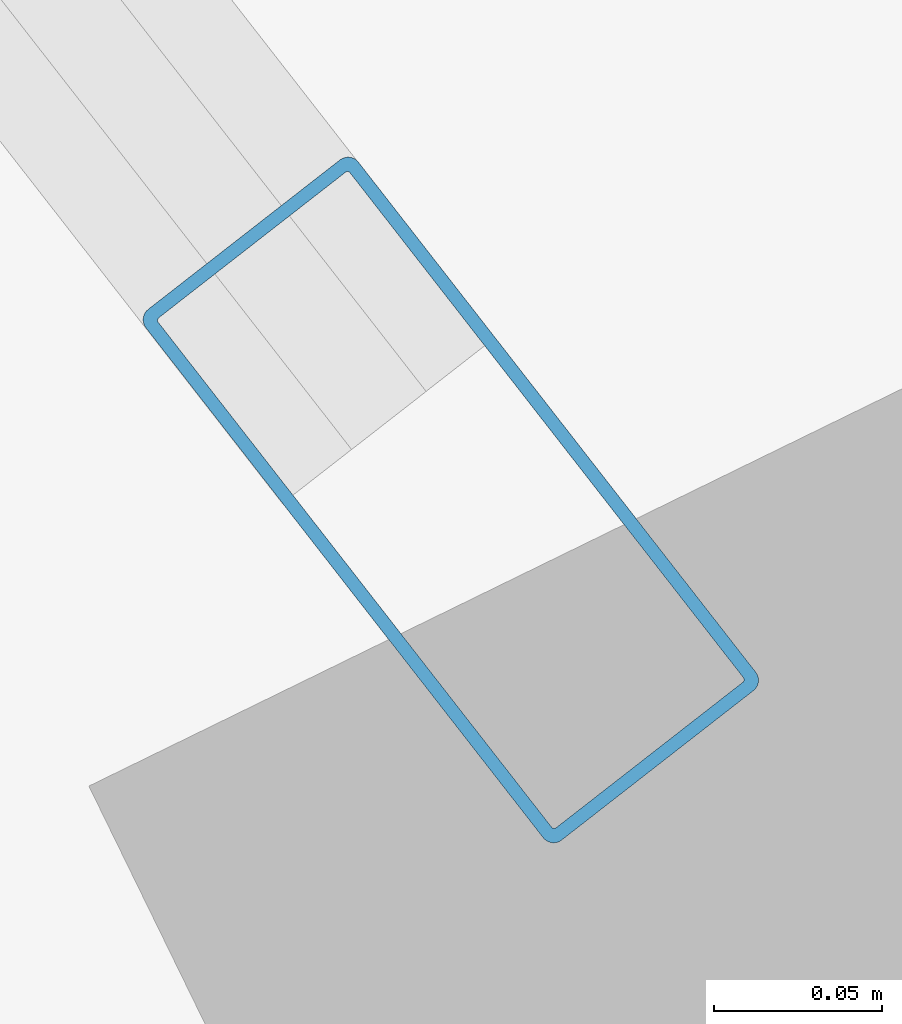
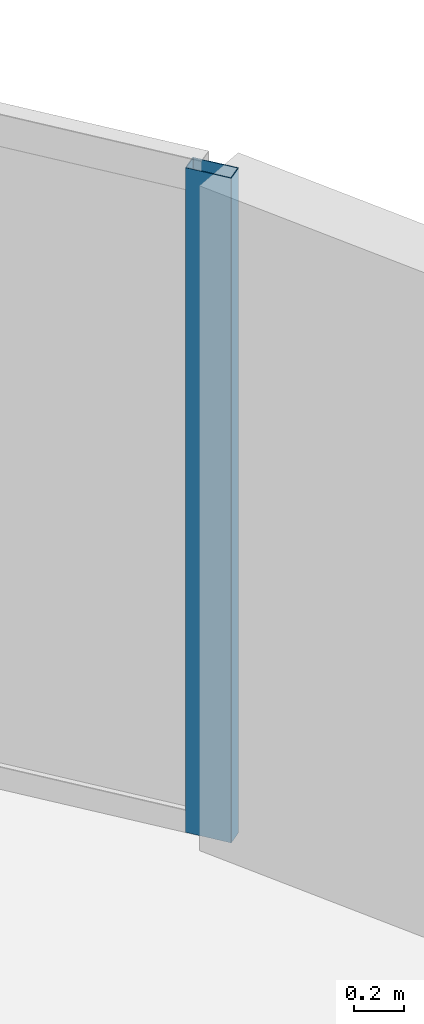
# One storey, part 7 of 20: 1 member, 1 element without a shape of its own.
"""IFC4 building model written with IfcOpenShell, lengths in metres."""

from ifc_helpers import new_model, si_unit, direction, frame, origin, origin_2d, place, context, subcontext, project, spatial, hollow_rectangle, extrude, material, layer, layer_set, material_profile, profile_set, type_object, element, aggregate, save


model = new_model("IFC4")

# Units and contexts
model_context = context("Model", 3, precision=1e-05, world=origin(), true_north=direction((0.0, 1.0)))
body_context = subcontext(model_context, "Body", "Model", "MODEL_VIEW")
ifc_project = project(units=[si_unit("LENGTHUNIT", "METRE"), si_unit("AREAUNIT", "SQUARE_METRE"), si_unit("VOLUMEUNIT", "CUBIC_METRE"), si_unit("PLANEANGLEUNIT", "RADIAN"), si_unit("MASSUNIT", "GRAM", prefix="KILO")], contexts=[model_context])

# Site, building, storey
site_placement = place(None, origin())
site = spatial("IfcSite", under=ifc_project, at=site_placement, CompositionType="ELEMENT")
building_placement = place(site_placement, origin())
building = spatial("IfcBuilding", under=site, at=building_placement, Name="Bramvorn Convention Spire", CompositionType="ELEMENT")
storey_placement = place(building_placement, frame((0.0, 0.0, 106.300048828125)))
storey = spatial("IfcBuildingStorey", under=building, at=storey_placement, Name="L25", CompositionType="ELEMENT", Elevation=106.300048828125)

# Curtain wall, member
ifc_material_1 = material(Name="Anodised Bronze Unitised Curtain Wall", Category="aluminium")
ifc_layer = layer(ifc_material_1, 0.179931640625)
ifc_layer_set = layer_set([ifc_layer], Name="Anodised Bronze Unitised Curtain Wall - CW-HTL-FRIT")
curtain_wall_type = type_object("IfcCurtainWallType", Name="CW-HTL-FRIT", PredefinedType="USERDEFINED", material=ifc_layer_set)
curtain_wall_placement = place(storey_placement, origin())
curtain_wall = element("IfcCurtainWall", 1, at=curtain_wall_placement, inside=storey, type_object=curtain_wall_type, Name="L25 fritted glass curtain wall 04", ObjectType="UNITISED CURTAIN WALL", PredefinedType="USERDEFINED")
ifc_material_2 = material(Name="Anodised Bronze Aluminium 6063-T6", Category="aluminium")
ifc_material_profile = material_profile(ifc_material_2, hollow_rectangle(XDim=0.080078125, YDim=0.199951171875, WallThickness=0.00390625, InnerFilletRadius=0.0009765625, OuterFilletRadius=0.00390625, at=origin_2d()))
ifc_profile_set = profile_set([ifc_material_profile], Name="Anodised Bronze Aluminium 6063-T6 - CWM80X200")
member_type = type_object("IfcMemberType", Name="CW-MUL-180", PredefinedType="MULLION", material=ifc_profile_set)
member_placement = place(storey_placement, frame((61.0771484375, 34.174560546875, 0.0), z_axis=(0.0, 0.0, 1.0), x_axis=(0.788820236998, 0.614623977488, 0.0)))
member = element("IfcMember", 2, at=member_placement, type_object=member_type, Name="CW2 mullion 2", PredefinedType="MULLION", context=body_context, shape_type="SweptSolid", body=[
    extrude(hollow_rectangle(XDim=0.080078125, YDim=0.199951171875, WallThickness=0.00390625, InnerFilletRadius=0.0009765625, OuterFilletRadius=0.00390625, at=origin_2d()), origin(), (0.0, 0.0, 1.0), 3.260009765625),
])
aggregate(curtain_wall, [member])

save(model, "model.ifc")
